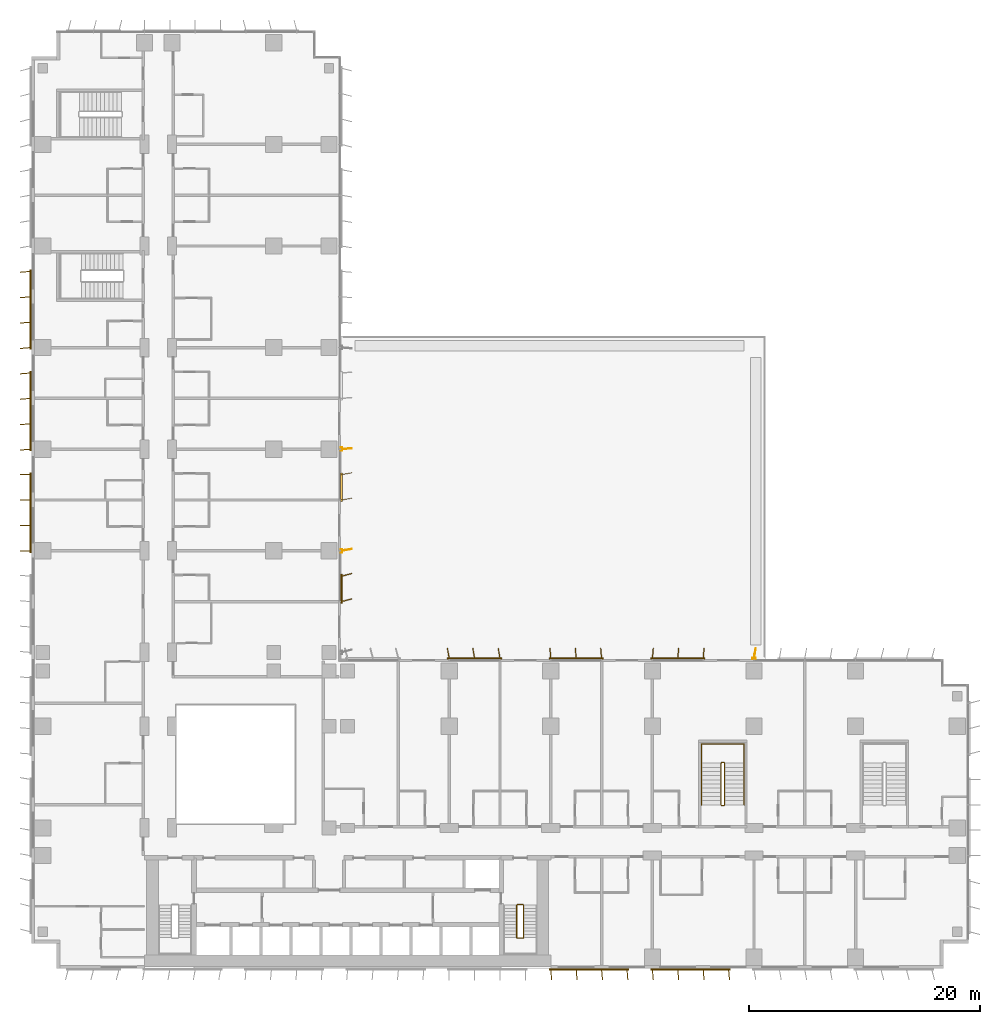
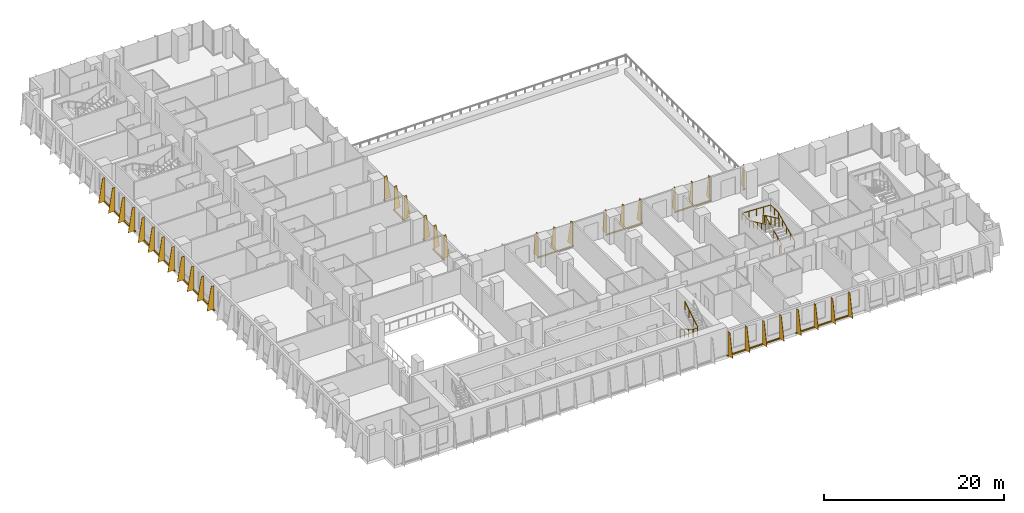
# One storey, part 20 of 23: 13 shading devices, 3 railings.
"""IFC4 building model written with IfcOpenShell, lengths in metres."""

from ifc_helpers import new_model, si_unit, direction, frame, origin, origin_2d, place, context, subcontext, project, spatial, polyline, rectangle, circle, outline, extrude, source, transform, mapped, material, layer, layer_set, type_object, element, save


model = new_model("IFC4")

# Units and contexts
model_context = context("Model", 3, precision=1e-05, world=origin(), true_north=direction((0.0, 1.0)))
body_context = subcontext(model_context, "Body", "Model", "MODEL_VIEW")
ifc_project = project(units=[si_unit("LENGTHUNIT", "METRE"), si_unit("AREAUNIT", "SQUARE_METRE"), si_unit("VOLUMEUNIT", "CUBIC_METRE"), si_unit("PLANEANGLEUNIT", "RADIAN"), si_unit("MASSUNIT", "GRAM", prefix="KILO")], contexts=[model_context])

# Site, building, storey
site_placement = place(None, origin())
site = spatial("IfcSite", under=ifc_project, at=site_placement, CompositionType="ELEMENT")
building_placement = place(site_placement, origin())
building = spatial("IfcBuilding", under=site, at=building_placement, Name="Kemantara Hotel Tower", CompositionType="ELEMENT")
storey_placement = place(building_placement, frame((0.0, 0.0, 34.0)))
storey = spatial("IfcBuildingStorey", under=building, at=storey_placement, Name="L06", CompositionType="ELEMENT", Elevation=34.0)

# Railings
ifc_material_1 = material(Name="Stainless steel balustrade", Category="steel")
railing_type_1 = type_object("IfcRailingType", Name="Stair guard 1100 mm", PredefinedType="GUARDRAIL", material=ifc_material_1)
railing_1_placement = place(storey_placement, frame((42.64990234375, 5.5, 3.699951171875)))
element("IfcRailing", 1, at=railing_1_placement, inside=storey, type_object=railing_type_1, Name="L06 ST2 stair guard 1", PredefinedType="GUARDRAIL", context=body_context, shape_type="SweptSolid", body=[
    extrude(circle(Radius=0.02392578125, at=origin_2d()), frame((0.0, 0.0, 1.076171875), z_axis=(0.0, -0.857242210791, -0.514913383045), x_axis=(1.0, 0.0, 0.0)), (0.0, 0.0, 1.0), 3.266357421875),
    extrude(circle(Radius=0.02392578125, at=origin_2d()), frame((0.0, -2.800048828125, -0.60595703125), z_axis=(-0.273343290215, -0.274683208305, -0.921863645432), x_axis=(0.708833529934, -0.705375805398, 0.0)), (0.0, 0.0, 1.0), 0.18212890625),
    extrude(circle(Radius=0.02392578125, at=origin_2d()), frame((-0.0498046875, -2.85009765625, -0.77392578125), z_axis=(-1.0, 0.0, 0.0), x_axis=(0.0, -1.0, 0.0)), (0.0, 0.0, 1.0), 0.5),
    extrude(circle(Radius=0.02392578125, at=origin_2d()), frame((-0.5498046875, -2.85009765625, -0.77392578125), z_axis=(-0.707106781187, 0.707106781187, 0.0), x_axis=(-0.707106781187, -0.707106781187, 0.0)), (0.0, 0.0, 1.0), 0.07080078125),
    extrude(circle(Radius=0.02392578125, at=origin_2d()), frame((-0.599853515625, -2.800048828125, -0.77392578125), z_axis=(0.0, 0.857242210791, -0.514913383045), x_axis=(-1.0, 0.0, 0.0)), (0.0, 0.0, 1.0), 3.266357421875),
    extrude(circle(Radius=0.02392578125, at=origin_2d()), frame((-0.599853515625, 0.0, -2.45556640625), z_axis=(0.274243871929, 0.274243871929, -0.92172696468), x_axis=(-0.707106781187, 0.707106781187, 0.0)), (0.0, 0.0, 1.0), 0.1826171875),
    extrude(circle(Radius=0.02392578125, at=origin_2d()), frame((-0.5498046875, 0.050048828125, -2.6240234375), z_axis=(1.0, 0.0, 0.0), x_axis=(0.0, 1.0, 0.0)), (0.0, 0.0, 1.0), 0.5),
    extrude(circle(Radius=0.02099609375, at=origin_2d()), origin(), (0.0, 0.0, 1.0), 1.052001953125),
    extrude(circle(Radius=0.02099609375, at=origin_2d()), frame((0.0, -0.933349609375, -0.560546875)), (0.0, 0.0, 1.0), 1.052001953125),
    extrude(circle(Radius=0.02099609375, at=origin_2d()), frame((0.0, -1.86669921875, -1.121337890625)), (0.0, 0.0, 1.0), 1.052001953125),
    extrude(circle(Radius=0.02099609375, at=origin_2d()), frame((0.0, -2.800048828125, -1.681884765625)), (0.0, 0.0, 1.0), 1.052001953125),
    extrude(circle(Radius=0.02099609375, at=origin_2d()), frame((-0.0498046875, -2.85009765625, -1.849853515625)), (0.0, 0.0, 1.0), 1.052001953125),
    extrude(circle(Radius=0.02099609375, at=origin_2d()), frame((-0.5498046875, -2.85009765625, -1.849853515625)), (0.0, 0.0, 1.0), 1.052001953125),
    extrude(circle(Radius=0.02099609375, at=origin_2d()), frame((-0.599853515625, -2.800048828125, -1.849853515625)), (0.0, 0.0, 1.0), 1.052001953125),
    extrude(circle(Radius=0.02099609375, at=origin_2d()), frame((-0.599853515625, -1.86669921875, -2.410400390625)), (0.0, 0.0, 1.0), 1.052001953125),
    extrude(circle(Radius=0.02099609375, at=origin_2d()), frame((-0.599853515625, -0.933349609375, -2.97119140625)), (0.0, 0.0, 1.0), 1.052001953125),
    extrude(circle(Radius=0.02099609375, at=origin_2d()), frame((-0.599853515625, 0.0, -3.53173828125)), (0.0, 0.0, 1.0), 1.052001953125),
    extrude(circle(Radius=0.02099609375, at=origin_2d()), frame((-0.5498046875, 0.050048828125, -3.699951171875)), (0.0, 0.0, 1.0), 1.052001953125),
    extrude(circle(Radius=0.02099609375, at=origin_2d()), frame((-0.0498046875, 0.050048828125, -3.699951171875)), (0.0, 0.0, 1.0), 1.052001953125),
])
railing_2_placement = place(storey_placement, frame((59.75, 14.199951171875, 3.699951171875)))
element("IfcRailing", 2, at=railing_2_placement, inside=storey, type_object=railing_type_1, Name="L06 ST3 stair guard 1", PredefinedType="GUARDRAIL", context=body_context, shape_type="SweptSolid", body=[
    extrude(circle(Radius=0.02392578125, at=origin_2d()), frame((0.0, 0.0, 1.076171875), z_axis=(0.0, 0.906005689286, -0.423265508849), x_axis=(-1.0, 0.0, 0.0)), (0.0, 0.0, 1.0), 3.9736328125),
    extrude(circle(Radius=0.02392578125, at=origin_2d()), frame((0.0, 3.60009765625, -0.60595703125), z_axis=(0.274582412415, 0.274582412415, -0.921525364591), x_axis=(-0.707106781187, 0.707106781187, 0.0)), (0.0, 0.0, 1.0), 0.182373046875),
    extrude(circle(Radius=0.02392578125, at=origin_2d()), frame((0.050048828125, 3.650146484375, -0.77392578125), z_axis=(1.0, 0.0, 0.0), x_axis=(0.0, 1.0, 0.0)), (0.0, 0.0, 1.0), 0.199951171875),
    extrude(circle(Radius=0.02392578125, at=origin_2d()), frame((0.25, 3.650146484375, -0.77392578125), z_axis=(0.707106781187, -0.707106781187, 0.0), x_axis=(0.707106781187, 0.707106781187, 0.0)), (0.0, 0.0, 1.0), 0.07080078125),
    extrude(circle(Radius=0.02392578125, at=origin_2d()), frame((0.300048828125, 3.60009765625, -0.77392578125), z_axis=(0.0, -0.906005689286, -0.423265508849), x_axis=(1.0, 0.0, 0.0)), (0.0, 0.0, 1.0), 3.9736328125),
    extrude(circle(Radius=0.02392578125, at=origin_2d()), frame((0.300048828125, 0.0, -2.45556640625), z_axis=(-0.274243871929, -0.274243871929, -0.92172696468), x_axis=(0.707106781187, -0.707106781187, 0.0)), (0.0, 0.0, 1.0), 0.1826171875),
    extrude(circle(Radius=0.02392578125, at=origin_2d()), frame((0.25, -0.050048828125, -2.6240234375), z_axis=(-1.0, 0.0, 0.0), x_axis=(0.0, -1.0, 0.0)), (0.0, 0.0, 1.0), 0.199951171875),
    extrude(circle(Radius=0.02099609375, at=origin_2d()), origin(), (0.0, 0.0, 1.0), 1.052001953125),
    extrude(circle(Radius=0.02099609375, at=origin_2d()), frame((0.0, 0.89990234375, -0.42041015625)), (0.0, 0.0, 1.0), 1.052001953125),
    extrude(circle(Radius=0.02099609375, at=origin_2d()), frame((0.0, 1.800048828125, -0.8408203125)), (0.0, 0.0, 1.0), 1.052001953125),
    extrude(circle(Radius=0.02099609375, at=origin_2d()), frame((0.0, 2.7001953125, -1.261474609375)), (0.0, 0.0, 1.0), 1.052001953125),
    extrude(circle(Radius=0.02099609375, at=origin_2d()), frame((0.0, 3.60009765625, -1.681884765625)), (0.0, 0.0, 1.0), 1.052001953125),
    extrude(circle(Radius=0.02099609375, at=origin_2d()), frame((0.050048828125, 3.650146484375, -1.849853515625)), (0.0, 0.0, 1.0), 1.052001953125),
    extrude(circle(Radius=0.02099609375, at=origin_2d()), frame((0.25, 3.650146484375, -1.849853515625)), (0.0, 0.0, 1.0), 1.052001953125),
    extrude(circle(Radius=0.02099609375, at=origin_2d()), frame((0.300048828125, 3.60009765625, -1.849853515625)), (0.0, 0.0, 1.0), 1.052001953125),
    extrude(circle(Radius=0.02099609375, at=origin_2d()), frame((0.300048828125, 2.7001953125, -2.270263671875)), (0.0, 0.0, 1.0), 1.052001953125),
    extrude(circle(Radius=0.02099609375, at=origin_2d()), frame((0.300048828125, 1.800048828125, -2.69091796875)), (0.0, 0.0, 1.0), 1.052001953125),
    extrude(circle(Radius=0.02099609375, at=origin_2d()), frame((0.300048828125, 0.89990234375, -3.111328125)), (0.0, 0.0, 1.0), 1.052001953125),
    extrude(circle(Radius=0.02099609375, at=origin_2d()), frame((0.300048828125, 0.0, -3.53173828125)), (0.0, 0.0, 1.0), 1.052001953125),
    extrude(circle(Radius=0.02099609375, at=origin_2d()), frame((0.25, -0.050048828125, -3.699951171875)), (0.0, 0.0, 1.0), 1.052001953125),
    extrude(circle(Radius=0.02099609375, at=origin_2d()), frame((0.050048828125, -0.050048828125, -3.699951171875)), (0.0, 0.0, 1.0), 1.052001953125),
])
railing_type_2 = type_object("IfcRailingType", Name="Stair handrail 900 mm", PredefinedType="HANDRAIL", material=ifc_material_1)
railing_3_placement = place(storey_placement, frame((61.75, 14.199951171875, 0.168212890625)))
element("IfcRailing", 3, at=railing_3_placement, inside=storey, type_object=railing_type_2, Name="L06 ST3 stair handrail 1", PredefinedType="HANDRAIL", context=body_context, shape_type="SweptSolid", body=[
    extrude(circle(Radius=0.02392578125, at=origin_2d()), frame((0.0, 0.0, 0.8759765625), z_axis=(0.0, 0.906005689286, 0.423265508849), x_axis=(-1.0, 0.0, 0.0)), (0.0, 0.0, 1.0), 3.9736328125),
    extrude(circle(Radius=0.02392578125, at=origin_2d()), frame((0.0, 3.60009765625, 2.5576171875), z_axis=(0.0, 1.0, 0.0), x_axis=(-1.0, 0.0, 0.0)), (0.0, 0.0, 1.0), 1.679931640625),
    extrude(circle(Radius=0.02392578125, at=origin_2d()), frame((0.0, 5.280029296875, 2.5576171875), z_axis=(-0.998971120908, 0.0, 0.045350849963), x_axis=(0.0, -1.0, 0.0)), (0.0, 0.0, 1.0), 3.703857421875),
    extrude(circle(Radius=0.02392578125, at=origin_2d()), frame((-3.699951171875, 5.280029296875, 2.7255859375), z_axis=(0.0, -1.0, 0.0), x_axis=(1.0, 0.0, 0.0)), (0.0, 0.0, 1.0), 1.679931640625),
    extrude(circle(Radius=0.02392578125, at=origin_2d()), frame((-3.699951171875, 3.60009765625, 2.7255859375), z_axis=(0.0, -0.906005689286, 0.423265508849), x_axis=(1.0, 0.0, 0.0)), (0.0, 0.0, 1.0), 3.9736328125),
    extrude(circle(Radius=0.02099609375, at=origin_2d()), origin(), (0.0, 0.0, 1.0), 0.851806640625),
    extrude(circle(Radius=0.02099609375, at=origin_2d()), frame((0.0, 0.89990234375, 0.42041015625)), (0.0, 0.0, 1.0), 0.851806640625),
    extrude(circle(Radius=0.02099609375, at=origin_2d()), frame((0.0, 1.800048828125, 0.8408203125)), (0.0, 0.0, 1.0), 0.851806640625),
    extrude(circle(Radius=0.02099609375, at=origin_2d()), frame((0.0, 2.7001953125, 1.261474609375)), (0.0, 0.0, 1.0), 0.851806640625),
    extrude(circle(Radius=0.02099609375, at=origin_2d()), frame((0.0, 3.60009765625, 1.681884765625)), (0.0, 0.0, 1.0), 0.851806640625),
    extrude(circle(Radius=0.02099609375, at=origin_2d()), frame((0.0, 4.43994140625, 1.681884765625)), (0.0, 0.0, 1.0), 0.851806640625),
    extrude(circle(Radius=0.02099609375, at=origin_2d()), frame((0.0, 5.280029296875, 1.681884765625)), (0.0, 0.0, 1.0), 0.851806640625),
    extrude(circle(Radius=0.02099609375, at=origin_2d()), frame((-0.925048828125, 5.280029296875, 1.723876953125)), (0.0, 0.0, 1.0), 0.851806640625),
    extrude(circle(Radius=0.02099609375, at=origin_2d()), frame((-1.85009765625, 5.280029296875, 1.765869140625)), (0.0, 0.0, 1.0), 0.851806640625),
    extrude(circle(Radius=0.02099609375, at=origin_2d()), frame((-2.77490234375, 5.280029296875, 1.807861328125)), (0.0, 0.0, 1.0), 0.851806640625),
    extrude(circle(Radius=0.02099609375, at=origin_2d()), frame((-3.699951171875, 5.280029296875, 1.849853515625)), (0.0, 0.0, 1.0), 0.851806640625),
    extrude(circle(Radius=0.02099609375, at=origin_2d()), frame((-3.699951171875, 4.43994140625, 1.849853515625)), (0.0, 0.0, 1.0), 0.851806640625),
    extrude(circle(Radius=0.02099609375, at=origin_2d()), frame((-3.699951171875, 3.60009765625, 1.849853515625)), (0.0, 0.0, 1.0), 0.851806640625),
    extrude(circle(Radius=0.02099609375, at=origin_2d()), frame((-3.699951171875, 2.7001953125, 2.270263671875)), (0.0, 0.0, 1.0), 0.851806640625),
    extrude(circle(Radius=0.02099609375, at=origin_2d()), frame((-3.699951171875, 1.800048828125, 2.69091796875)), (0.0, 0.0, 1.0), 0.851806640625),
    extrude(circle(Radius=0.02099609375, at=origin_2d()), frame((-3.699951171875, 0.89990234375, 3.111328125)), (0.0, 0.0, 1.0), 0.851806640625),
    extrude(circle(Radius=0.02099609375, at=origin_2d()), frame((-3.699951171875, 0.0, 3.53173828125)), (0.0, 0.0, 1.0), 0.851806640625),
])

# Shading devices
ifc_material_2 = material(Name="Perforated aluminium plate 4 mm bronze anodised", Category="aluminium")
ifc_layer_1 = layer(ifc_material_2, 0.0400390625)
ifc_layer_set_1 = layer_set([ifc_layer_1], Name="Perforated aluminium plate 4 mm bronze anodised")
shading_device_type_1 = type_object("IfcShadingDeviceType", Name="SCREEN FIN CASSETTE, 4 BLADES AT +0.0 DEG, 3200 HIGH", PredefinedType="USERDEFINED", material=ifc_layer_set_1)
shared_shape_1 = source(origin(), body_context, "Body", "SweptSolid", [
    extrude(rectangle(XDim=6.89990234375, YDim=0.14990234375, at=origin_2d()), frame((3.300048828125, -0.074951171875, -0.14990234375), z_axis=(0.0, 0.0, 1.0), x_axis=(1.0, 0.0, 0.0)), (0.0, 0.0, 1.0), 0.14990234375),
    extrude(outline(polyline([(0.0, 0.0), (0.89990234375, 0.0), (0.35009765625, 3.199951171875), (0.0, 3.199951171875), (0.0, 0.0)])), frame((0.02001953125, -0.074951171875, 0.0), z_axis=(-1.0, 0.0, 0.0), x_axis=(0.0, -1.0, 0.0)), (0.0, 0.0, 1.0), 0.0400390625),
    extrude(outline(polyline([(0.0, 0.0), (0.89990234375, 0.0), (0.35009765625, 3.199951171875), (0.0, 3.199951171875), (0.0, 0.0)])), frame((2.219970703125, -0.074951171875, 0.0), z_axis=(-1.0, 0.0, 0.0), x_axis=(0.0, -1.0, 0.0)), (0.0, 0.0, 1.0), 0.0400390625),
    extrude(outline(polyline([(0.0, 0.0), (0.89990234375, 0.0), (0.35009765625, 3.199951171875), (0.0, 3.199951171875), (0.0, 0.0)])), frame((4.419921875, -0.074951171875, 0.0), z_axis=(-1.0, 0.0, 0.0), x_axis=(0.0, -1.0, 0.0)), (0.0, 0.0, 1.0), 0.0400390625),
    extrude(outline(polyline([(0.0, 0.0), (0.89990234375, 0.0), (0.35009765625, 3.199951171875), (0.0, 3.199951171875), (0.0, 0.0)])), frame((6.6201171875, -0.074951171875, 0.0), z_axis=(-1.0, 0.0, 0.0), x_axis=(0.0, -1.0, 0.0)), (0.0, 0.0, 1.0), 0.0400390625),
])
shading_device_1_placement = place(storey_placement, frame((0.0, 42.800048828125, 0.10009765625), z_axis=(0.0, 0.0, 1.0), x_axis=(0.0, -1.0, 0.0)))
element("IfcShadingDevice", 4, at=shading_device_1_placement, inside=storey, type_object=shading_device_type_1, Name="SCREEN FIN CASSETTE L06 T1-R14-5", ObjectType="SCREEN FIN", PredefinedType="USERDEFINED", context=body_context, shape_type="MappedRepresentation", body=[
    mapped(shared_shape_1, transform((0.0, 0.0, 0.0))),
])
ifc_layer_2 = layer(ifc_material_2, 0.0400390625)
ifc_layer_set_2 = layer_set([ifc_layer_2], Name="Perforated aluminium plate 4 mm bronze anodised")
shading_device_type_2 = type_object("IfcShadingDeviceType", Name="SCREEN FIN CASSETTE, 4 BLADES AT +5.0 DEG, 3200 HIGH", PredefinedType="USERDEFINED", material=ifc_layer_set_2)
shared_shape_2 = source(origin(), body_context, "Body", "SweptSolid", [
    extrude(rectangle(XDim=6.89990234375, YDim=0.14990234375, at=origin_2d()), frame((3.300048828125, -0.074951171875, -0.14990234375), z_axis=(0.0, 0.0, 1.0), x_axis=(1.0, 0.0, 0.0)), (0.0, 0.0, 1.0), 0.14990234375),
    extrude(outline(polyline([(0.0, 0.0), (0.89990234375, 0.0), (0.35009765625, 3.199951171875), (0.0, 3.199951171875), (0.0, 0.0)])), frame((0.02001953125, -0.0732421875, 0.0), z_axis=(-0.996376129781, -0.085056498884, 0.0), x_axis=(0.085056498884, -0.996376129781, 0.0)), (0.0, 0.0, 1.0), 0.040283203125),
    extrude(outline(polyline([(0.0, 0.0), (0.89990234375, 0.0), (0.35009765625, 3.199951171875), (0.0, 3.199951171875), (0.0, 0.0)])), frame((2.219970703125, -0.0732421875, 0.0), z_axis=(-0.996331773833, -0.085574508182, 0.0), x_axis=(0.085574508182, -0.996331773833, 0.0)), (0.0, 0.0, 1.0), 0.0400390625),
    extrude(outline(polyline([(0.0, 0.0), (0.89990234375, 0.0), (0.35009765625, 3.199951171875), (0.0, 3.199951171875), (0.0, 0.0)])), frame((4.419921875, -0.0732421875, 0.0), z_axis=(-0.996331773833, -0.085574508182, 0.0), x_axis=(0.085574508182, -0.996331773833, 0.0)), (0.0, 0.0, 1.0), 0.0400390625),
    extrude(outline(polyline([(0.0, 0.0), (0.89990234375, 0.0), (0.35009765625, 3.199951171875), (0.0, 3.199951171875), (0.0, 0.0)])), frame((6.619873046875, -0.0732421875, 0.0), z_axis=(-0.996331773833, -0.085574508182, 0.0), x_axis=(0.085574508182, -0.996331773833, 0.0)), (0.0, 0.0, 1.0), 0.0400390625),
])
for number, where, z_axis, x_axis, name in (
    (5, (45.0, 0.0, 0.10009765625), (0.0, 0.0, 1.0), (1.0, 0.0, 0.0), "SCREEN FIN CASSETTE L06 T1-R01-6"),
    (6, (53.800048828125, 0.0, 0.10009765625), (0.0, 0.0, 1.0), (1.0, 0.0, 0.0), "SCREEN FIN CASSETTE L06 T1-R01-7"),
    (7, (0.0, 60.39990234375, 0.10009765625), (0.0, 0.0, 1.0), (0.0, -1.0, 0.0), "SCREEN FIN CASSETTE L06 T1-R14-3"),
    (8, (0.0, 51.60009765625, 0.10009765625), (0.0, 0.0, 1.0), (0.0, -1.0, 0.0), "SCREEN FIN CASSETTE L06 T1-R14-4"),
):
    element("IfcShadingDevice", number, at=place(storey_placement, frame(where, z_axis=z_axis, x_axis=x_axis)), inside=storey, type_object=shading_device_type_2, Name=name, ObjectType="SCREEN FIN", PredefinedType="USERDEFINED", context=body_context, shape_type="MappedRepresentation", body=[
        mapped(shared_shape_2, transform((0.0, 0.0, 0.0))),
    ])
ifc_layer_3 = layer(ifc_material_2, 0.0400390625)
ifc_layer_set_3 = layer_set([ifc_layer_3], Name="Perforated aluminium plate 4 mm bronze anodised")
shading_device_type_3 = type_object("IfcShadingDeviceType", Name="SCREEN FIN CASSETTE, 1 BLADE AT -10.0 DEG, 3150 HIGH", PredefinedType="USERDEFINED", material=ifc_layer_set_3)
shared_shape_3 = source(origin(), body_context, "Body", "SweptSolid", [
    extrude(rectangle(XDim=0.300048828125, YDim=0.14990234375, at=origin_2d()), frame((0.0, -0.074951171875, -0.14990234375), z_axis=(0.0, 0.0, 1.0), x_axis=(1.0, 0.0, 0.0)), (0.0, 0.0, 1.0), 0.14990234375),
    extrude(outline(polyline([(0.0, 0.0), (0.89990234375, 0.0), (0.35009765625, 3.14990234375), (0.0, 3.14990234375), (0.0, 0.0)])), frame((0.019775390625, -0.078369140625, 0.0), z_axis=(-0.985389793052, 0.170314285219, 0.0), x_axis=(-0.170314285219, -0.985389793052, 0.0)), (0.0, 0.0, 1.0), 0.0400390625),
])
shading_device_2_placement = place(storey_placement, frame((62.60009765625, 26.800048828125, 0.14990234375), z_axis=(0.0, 0.0, 1.0), x_axis=(-1.0, 0.0, 0.0)))
element("IfcShadingDevice", 9, at=shading_device_2_placement, inside=storey, type_object=shading_device_type_3, Name="SCREEN FIN CASSETTE L06 T1-R07-3", ObjectType="SCREEN FIN", PredefinedType="USERDEFINED", context=body_context, shape_type="MappedRepresentation", body=[
    mapped(shared_shape_3, transform((0.0, 0.0, 0.0))),
])
ifc_layer_4 = layer(ifc_material_2, 0.0400390625)
ifc_layer_set_4 = layer_set([ifc_layer_4], Name="Perforated aluminium plate 4 mm bronze anodised")
shading_device_type_4 = type_object("IfcShadingDeviceType", Name="SCREEN FIN CASSETTE, 3 BLADES AT -5.0 DEG, 3150 HIGH", PredefinedType="USERDEFINED", material=ifc_layer_set_4)
shared_shape_4 = source(origin(), body_context, "Body", "SweptSolid", [
    extrude(rectangle(XDim=4.699951171875, YDim=0.14990234375, at=origin_2d()), frame((2.199951171875, -0.074951171875, -0.14990234375), z_axis=(0.0, 0.0, 1.0), x_axis=(1.0, 0.0, 0.0)), (0.0, 0.0, 1.0), 0.14990234375),
    extrude(outline(polyline([(0.0, 0.0), (0.89990234375, 0.0), (0.35009765625, 3.14990234375), (0.0, 3.14990234375), (0.0, 0.0)])), frame((0.02001953125, -0.07666015625, 0.0), z_axis=(-0.996376129781, 0.085056498884, 0.0), x_axis=(-0.085056498884, -0.996376129781, 0.0)), (0.0, 0.0, 1.0), 0.040283203125),
    extrude(outline(polyline([(0.0, 0.0), (0.89990234375, 0.0), (0.35009765625, 3.14990234375), (0.0, 3.14990234375), (0.0, 0.0)])), frame((2.219970703125, -0.07666015625, 0.0), z_axis=(-0.996331773833, 0.085574508182, 0.0), x_axis=(-0.085574508182, -0.996331773833, 0.0)), (0.0, 0.0, 1.0), 0.0400390625),
    extrude(outline(polyline([(0.0, 0.0), (0.89990234375, 0.0), (0.35009765625, 3.14990234375), (0.0, 3.14990234375), (0.0, 0.0)])), frame((4.419921875, -0.07666015625, 0.0), z_axis=(-0.996331773833, 0.085574508182, 0.0), x_axis=(-0.085574508182, -0.996331773833, 0.0)), (0.0, 0.0, 1.0), 0.0400390625),
])
shading_device_3_placement = place(storey_placement, frame((58.199951171875, 26.800048828125, 0.14990234375), z_axis=(0.0, 0.0, 1.0), x_axis=(-1.0, 0.0, 0.0)))
element("IfcShadingDevice", 10, at=shading_device_3_placement, inside=storey, type_object=shading_device_type_4, Name="SCREEN FIN CASSETTE L06 T1-R07-4", ObjectType="SCREEN FIN", PredefinedType="USERDEFINED", context=body_context, shape_type="MappedRepresentation", body=[
    mapped(shared_shape_4, transform((0.0, 0.0, 0.0))),
])
ifc_layer_5 = layer(ifc_material_2, 0.0400390625)
ifc_layer_set_5 = layer_set([ifc_layer_5], Name="Perforated aluminium plate 4 mm bronze anodised")
shading_device_type_5 = type_object("IfcShadingDeviceType", Name="SCREEN FIN CASSETTE, 3 BLADES AT +5.0 DEG, 3150 HIGH", PredefinedType="USERDEFINED", material=ifc_layer_set_5)
shared_shape_5 = source(origin(), body_context, "Body", "SweptSolid", [
    extrude(rectangle(XDim=4.699951171875, YDim=0.14990234375, at=origin_2d()), frame((2.199951171875, -0.074951171875, -0.14990234375), z_axis=(0.0, 0.0, 1.0), x_axis=(1.0, 0.0, 0.0)), (0.0, 0.0, 1.0), 0.14990234375),
    extrude(outline(polyline([(0.0, 0.0), (0.89990234375, 0.0), (0.35009765625, 3.14990234375), (0.0, 3.14990234375), (0.0, 0.0)])), frame((0.02001953125, -0.0732421875, 0.0), z_axis=(-0.996376129781, -0.085056498884, 0.0), x_axis=(0.085056498884, -0.996376129781, 0.0)), (0.0, 0.0, 1.0), 0.040283203125),
    extrude(outline(polyline([(0.0, 0.0), (0.89990234375, 0.0), (0.35009765625, 3.14990234375), (0.0, 3.14990234375), (0.0, 0.0)])), frame((2.219970703125, -0.0732421875, 0.0), z_axis=(-0.996331773833, -0.085574508182, 0.0), x_axis=(0.085574508182, -0.996331773833, 0.0)), (0.0, 0.0, 1.0), 0.0400390625),
    extrude(outline(polyline([(0.0, 0.0), (0.89990234375, 0.0), (0.35009765625, 3.14990234375), (0.0, 3.14990234375), (0.0, 0.0)])), frame((4.419921875, -0.0732421875, 0.0), z_axis=(-0.996331773833, -0.085574508182, 0.0), x_axis=(0.085574508182, -0.996331773833, 0.0)), (0.0, 0.0, 1.0), 0.0400390625),
])
shading_device_4_placement = place(storey_placement, frame((49.39990234375, 26.800048828125, 0.14990234375), z_axis=(0.0, 0.0, 1.0), x_axis=(-1.0, 0.0, 0.0)))
element("IfcShadingDevice", 11, at=shading_device_4_placement, inside=storey, type_object=shading_device_type_5, Name="SCREEN FIN CASSETTE L06 T1-R07-5", ObjectType="SCREEN FIN", PredefinedType="USERDEFINED", context=body_context, shape_type="MappedRepresentation", body=[
    mapped(shared_shape_5, transform((0.0, 0.0, 0.0))),
])
ifc_layer_6 = layer(ifc_material_2, 0.0400390625)
ifc_layer_set_6 = layer_set([ifc_layer_6], Name="Perforated aluminium plate 4 mm bronze anodised")
shading_device_type_6 = type_object("IfcShadingDeviceType", Name="SCREEN FIN CASSETTE, 3 BLADES AT +10.0 DEG, 3150 HIGH", PredefinedType="USERDEFINED", material=ifc_layer_set_6)
shared_shape_6 = source(origin(), body_context, "Body", "SweptSolid", [
    extrude(rectangle(XDim=4.699951171875, YDim=0.14990234375, at=origin_2d()), frame((2.199951171875, -0.074951171875, -0.14990234375), z_axis=(0.0, 0.0, 1.0), x_axis=(1.0, 0.0, 0.0)), (0.0, 0.0, 1.0), 0.14990234375),
    extrude(outline(polyline([(0.0, 0.0), (0.89990234375, 0.0), (0.35009765625, 3.14990234375), (0.0, 3.14990234375), (0.0, 0.0)])), frame((0.019775390625, -0.071533203125, 0.0), z_axis=(-0.985389793052, -0.170314285219, 0.0), x_axis=(0.170314285219, -0.985389793052, 0.0)), (0.0, 0.0, 1.0), 0.0400390625),
    extrude(outline(polyline([(0.0, 0.0), (0.89990234375, 0.0), (0.35009765625, 3.14990234375), (0.0, 3.14990234375), (0.0, 0.0)])), frame((2.2197265625, -0.071533203125, 0.0), z_axis=(-0.98521175482, -0.171341174751, 0.0), x_axis=(0.171341174751, -0.98521175482, 0.0)), (0.0, 0.0, 1.0), 0.039794921875),
    extrude(outline(polyline([(0.0, 0.0), (0.89990234375, 0.0), (0.35009765625, 3.14990234375), (0.0, 3.14990234375), (0.0, 0.0)])), frame((4.419677734375, -0.071533203125, 0.0), z_axis=(-0.98521175482, -0.171341174751, 0.0), x_axis=(0.171341174751, -0.98521175482, 0.0)), (0.0, 0.0, 1.0), 0.039794921875),
])
shading_device_5_placement = place(storey_placement, frame((40.60009765625, 26.800048828125, 0.14990234375), z_axis=(0.0, 0.0, 1.0), x_axis=(-1.0, 0.0, 0.0)))
element("IfcShadingDevice", 12, at=shading_device_5_placement, inside=storey, type_object=shading_device_type_6, Name="SCREEN FIN CASSETTE L06 T1-R07-6", ObjectType="SCREEN FIN", PredefinedType="USERDEFINED", context=body_context, shape_type="MappedRepresentation", body=[
    mapped(shared_shape_6, transform((0.0, 0.0, 0.0))),
])
ifc_layer_7 = layer(ifc_material_2, 0.0400390625)
ifc_layer_set_7 = layer_set([ifc_layer_7], Name="Perforated aluminium plate 4 mm bronze anodised")
shading_device_type_7 = type_object("IfcShadingDeviceType", Name="SCREEN FIN CASSETTE, 2 BLADES AT +15.0 DEG, 3150 HIGH", PredefinedType="USERDEFINED", material=ifc_layer_set_7)
shared_shape_7 = source(origin(), body_context, "Body", "SweptSolid", [
    extrude(rectangle(XDim=2.5, YDim=0.14990234375, at=origin_2d()), frame((1.10009765625, -0.074951171875, -0.14990234375), z_axis=(0.0, 0.0, 1.0), x_axis=(1.0, 0.0, 0.0)), (0.0, 0.0, 1.0), 0.14990234375),
    extrude(outline(polyline([(0.0, 0.0), (0.89990234375, 0.0), (0.35009765625, 3.14990234375), (0.0, 3.14990234375), (0.0, 0.0)])), frame((0.019287109375, -0.06982421875, 0.0), z_axis=(-0.966437683387, -0.256901156343, 0.0), x_axis=(0.256901156343, -0.966437683387, 0.0)), (0.0, 0.0, 1.0), 0.039794921875),
    extrude(outline(polyline([(0.0, 0.0), (0.89990234375, 0.0), (0.35009765625, 3.14990234375), (0.0, 3.14990234375), (0.0, 0.0)])), frame((2.21923828125, -0.06982421875, 0.0), z_axis=(-0.966437683387, -0.256901156343, 0.0), x_axis=(0.256901156343, -0.966437683387, 0.0)), (0.0, 0.0, 1.0), 0.039794921875),
])
shading_device_6_placement = place(storey_placement, frame((26.800048828125, 31.800048828125, 0.14990234375), z_axis=(0.0, 0.0, 1.0), x_axis=(0.0, 1.0, 0.0)))
element("IfcShadingDevice", 13, at=shading_device_6_placement, inside=storey, type_object=shading_device_type_7, Name="SCREEN FIN CASSETTE L06 T1-R08-2", ObjectType="SCREEN FIN", PredefinedType="USERDEFINED", context=body_context, shape_type="MappedRepresentation", body=[
    mapped(shared_shape_7, transform((0.0, 0.0, 0.0))),
])
ifc_layer_8 = layer(ifc_material_2, 0.0400390625)
ifc_layer_set_8 = layer_set([ifc_layer_8], Name="Perforated aluminium plate 4 mm bronze anodised")
shading_device_type_8 = type_object("IfcShadingDeviceType", Name="SCREEN FIN CASSETTE, 1 BLADE AT +10.0 DEG, 3150 HIGH", PredefinedType="USERDEFINED", material=ifc_layer_set_8)
shared_shape_8 = source(origin(), body_context, "Body", "SweptSolid", [
    extrude(rectangle(XDim=0.300048828125, YDim=0.14990234375, at=origin_2d()), frame((0.0, -0.074951171875, -0.14990234375), z_axis=(0.0, 0.0, 1.0), x_axis=(1.0, 0.0, 0.0)), (0.0, 0.0, 1.0), 0.14990234375),
    extrude(outline(polyline([(0.0, 0.0), (0.89990234375, 0.0), (0.35009765625, 3.14990234375), (0.0, 3.14990234375), (0.0, 0.0)])), frame((0.019775390625, -0.071533203125, 0.0), z_axis=(-0.985389793052, -0.170314285219, 0.0), x_axis=(0.170314285219, -0.985389793052, 0.0)), (0.0, 0.0, 1.0), 0.0400390625),
])
shading_device_7_placement = place(storey_placement, frame((26.800048828125, 36.199951171875, 0.14990234375), z_axis=(0.0, 0.0, 1.0), x_axis=(0.0, 1.0, 0.0)))
element("IfcShadingDevice", 14, at=shading_device_7_placement, inside=storey, type_object=shading_device_type_8, Name="SCREEN FIN CASSETTE L06 T1-R08-3", ObjectType="SCREEN FIN", PredefinedType="USERDEFINED", context=body_context, shape_type="MappedRepresentation", body=[
    mapped(shared_shape_8, transform((0.0, 0.0, 0.0))),
])
ifc_layer_9 = layer(ifc_material_2, 0.0400390625)
ifc_layer_set_9 = layer_set([ifc_layer_9], Name="Perforated aluminium plate 4 mm bronze anodised")
shading_device_type_9 = type_object("IfcShadingDeviceType", Name="SCREEN FIN CASSETTE, 2 BLADES AT +10.0 DEG, 3150 HIGH", PredefinedType="USERDEFINED", material=ifc_layer_set_9)
shared_shape_9 = source(origin(), body_context, "Body", "SweptSolid", [
    extrude(rectangle(XDim=2.5, YDim=0.14990234375, at=origin_2d()), frame((1.10009765625, -0.074951171875, -0.14990234375), z_axis=(0.0, 0.0, 1.0), x_axis=(1.0, 0.0, 0.0)), (0.0, 0.0, 1.0), 0.14990234375),
    extrude(outline(polyline([(0.0, 0.0), (0.89990234375, 0.0), (0.35009765625, 3.14990234375), (0.0, 3.14990234375), (0.0, 0.0)])), frame((0.019775390625, -0.071533203125, 0.0), z_axis=(-0.985389793052, -0.170314285219, 0.0), x_axis=(0.170314285219, -0.985389793052, 0.0)), (0.0, 0.0, 1.0), 0.0400390625),
    extrude(outline(polyline([(0.0, 0.0), (0.89990234375, 0.0), (0.35009765625, 3.14990234375), (0.0, 3.14990234375), (0.0, 0.0)])), frame((2.2197265625, -0.071533203125, 0.0), z_axis=(-0.98521175482, -0.171341174751, 0.0), x_axis=(0.171341174751, -0.98521175482, 0.0)), (0.0, 0.0, 1.0), 0.039794921875),
])
shading_device_8_placement = place(storey_placement, frame((26.800048828125, 40.60009765625, 0.14990234375), z_axis=(0.0, 0.0, 1.0), x_axis=(0.0, 1.0, 0.0)))
element("IfcShadingDevice", 15, at=shading_device_8_placement, inside=storey, type_object=shading_device_type_9, Name="SCREEN FIN CASSETTE L06 T1-R08-4", ObjectType="SCREEN FIN", PredefinedType="USERDEFINED", context=body_context, shape_type="MappedRepresentation", body=[
    mapped(shared_shape_9, transform((0.0, 0.0, 0.0))),
])
ifc_layer_10 = layer(ifc_material_2, 0.0400390625)
ifc_layer_set_10 = layer_set([ifc_layer_10], Name="Perforated aluminium plate 4 mm bronze anodised")
shading_device_type_10 = type_object("IfcShadingDeviceType", Name="SCREEN FIN CASSETTE, 1 BLADE AT +5.0 DEG, 3150 HIGH", PredefinedType="USERDEFINED", material=ifc_layer_set_10)
shared_shape_10 = source(origin(), body_context, "Body", "SweptSolid", [
    extrude(rectangle(XDim=0.300048828125, YDim=0.14990234375, at=origin_2d()), frame((0.0, -0.074951171875, -0.14990234375), z_axis=(0.0, 0.0, 1.0), x_axis=(1.0, 0.0, 0.0)), (0.0, 0.0, 1.0), 0.14990234375),
    extrude(outline(polyline([(0.0, 0.0), (0.89990234375, 0.0), (0.35009765625, 3.14990234375), (0.0, 3.14990234375), (0.0, 0.0)])), frame((0.02001953125, -0.0732421875, 0.0), z_axis=(-0.996376129781, -0.085056498884, 0.0), x_axis=(0.085056498884, -0.996376129781, 0.0)), (0.0, 0.0, 1.0), 0.040283203125),
])
shading_device_9_placement = place(storey_placement, frame((26.800048828125, 45.0, 0.14990234375), z_axis=(0.0, 0.0, 1.0), x_axis=(0.0, 1.0, 0.0)))
element("IfcShadingDevice", 16, at=shading_device_9_placement, inside=storey, type_object=shading_device_type_10, Name="SCREEN FIN CASSETTE L06 T1-R08-5", ObjectType="SCREEN FIN", PredefinedType="USERDEFINED", context=body_context, shape_type="MappedRepresentation", body=[
    mapped(shared_shape_10, transform((0.0, 0.0, 0.0))),
])

save(model, "model.ifc")
